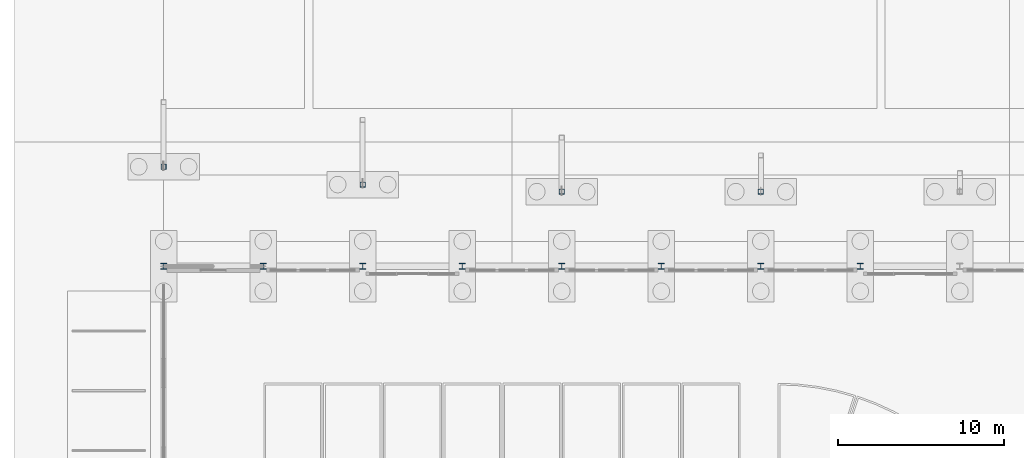
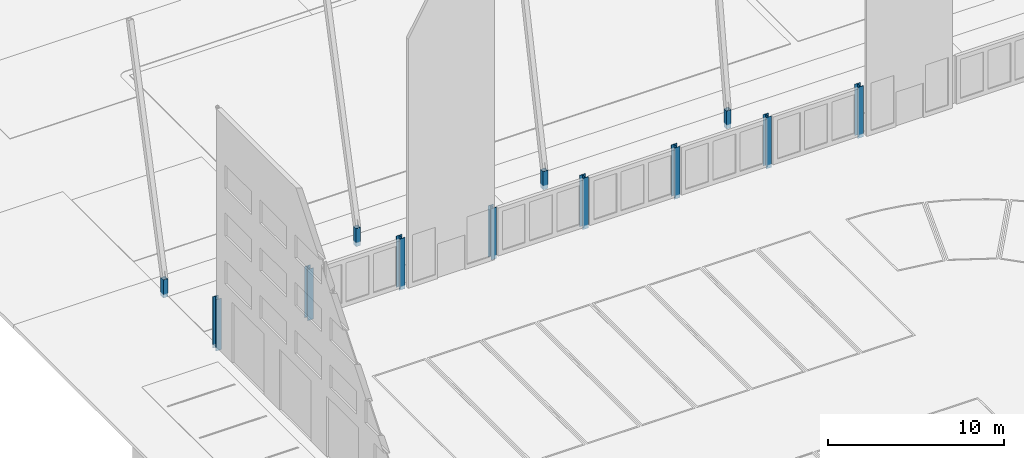
# One storey, part 11 of 130: 12 columns.
"""IFC4 building model written with IfcOpenShell, lengths in metres."""

from ifc_helpers import new_model, si_unit, direction, frame, origin, origin_2d, place, context, subcontext, project, spatial, hollow_rectangle, i_section, extrude, material, material_profile, profile_set, type_object, element, save


model = new_model("IFC4")

# Units and contexts
model_context = context("Model", 3, precision=1e-05, world=origin(), true_north=direction((0.0, 1.0)))
body_context = subcontext(model_context, "Body", "Model", "MODEL_VIEW")
ifc_project = project(units=[si_unit("LENGTHUNIT", "METRE"), si_unit("AREAUNIT", "SQUARE_METRE"), si_unit("VOLUMEUNIT", "CUBIC_METRE"), si_unit("PLANEANGLEUNIT", "RADIAN"), si_unit("MASSUNIT", "GRAM", prefix="KILO")], contexts=[model_context])

# Site, building, storey
site_placement = place(None, origin())
site = spatial("IfcSite", under=ifc_project, at=site_placement, CompositionType="ELEMENT")
building_placement = place(site_placement, origin())
building = spatial("IfcBuilding", under=site, at=building_placement, Name="Parallax Yard Mobility Hub", CompositionType="ELEMENT")
storey_placement = place(building_placement, origin())
storey = spatial("IfcBuildingStorey", under=building, at=storey_placement, Name="L00", CompositionType="ELEMENT", Elevation=0.0)

# Columns
ifc_material_1 = material(Name="Steel ASTM A500 Gr C", Category="steel")
ifc_material_profile_1 = material_profile(ifc_material_1, hollow_rectangle(XDim=0.3046875, YDim=0.3046875, WallThickness=0.0126953125, at=origin_2d()), Name="HSS305x305x12.7")
ifc_profile_set_1 = profile_set([ifc_material_profile_1], Name="Steel ASTM A500 Gr C")
column_type_1 = type_object("IfcColumnType", Name="Roof column HSS305x305x12.7", PredefinedType="COLUMN", material=ifc_profile_set_1)
for number, where, z_axis, x_axis, name in (
    (1, (9.0, 58.5, -0.25), (0.0, 0.0, 1.0), (1.0, 0.0, 0.0), "Prow strut stub F1"),
    (2, (21.0, 57.4287109375, -0.25), (0.0, 0.0, 1.0), (1.0, 0.0, 0.0), "Prow strut stub F3"),
    (3, (33.0, 57.0, -0.25), (0.0, 0.0, 1.0), (1.0, 0.0, 0.0), "Prow strut stub F5"),
    (4, (45.0, 57.0, -0.25), (0.0, 0.0, 1.0), (1.0, 0.0, 0.0), "Prow strut stub F7"),
):
    element("IfcColumn", number, at=place(storey_placement, frame(where, z_axis=z_axis, x_axis=x_axis)), inside=storey, type_object=column_type_1, Name=name, PredefinedType="COLUMN", context=body_context, shape_type="SweptSolid", body=[
        extrude(hollow_rectangle(XDim=0.3046875, YDim=0.3046875, WallThickness=0.0126953125, at=origin_2d()), origin(), (0.0, 0.0, 1.0), 1.25),
    ])
ifc_material_2 = material(Name="Steel ASTM A992", Category="steel")
ifc_material_profile_2 = material_profile(ifc_material_2, i_section(OverallWidth=0.373046875, OverallDepth=0.367919921875, WebThickness=0.014892578125, FlangeThickness=0.02392578125, FilletRadius=0.01513671875, at=origin_2d()), Name="W360x179")
ifc_profile_set_2 = profile_set([ifc_material_profile_2], Name="Steel ASTM A992")
column_type_2 = type_object("IfcColumnType", Name="W360x179 column", PredefinedType="COLUMN", material=ifc_profile_set_2)
for number, where, z_axis, x_axis, name in (
    (5, (9.0, 52.5, -0.25), (0.0, 0.0, 1.0), (1.0, 0.0, 0.0), "Column C7 level L00 at F1/H of bus and taxi deck"),
    (6, (15.0, 52.5, -0.25), (0.0, 0.0, 1.0), (1.0, 0.0, 0.0), "Column C7 level L00 at F2/H of bus and taxi deck"),
    (7, (21.0, 52.5, -0.25), (0.0, 0.0, 1.0), (1.0, 0.0, 0.0), "Column C7 level L00 at F3/H of bus and taxi deck"),
    (8, (27.0, 52.5, -0.25), (0.0, 0.0, 1.0), (1.0, 0.0, 0.0), "Column C7 level L00 at F4/H of bus and taxi deck"),
    (9, (33.0, 52.5, -0.25), (0.0, 0.0, 1.0), (1.0, 0.0, 0.0), "Column C7 level L00 at F5/H of bus and taxi deck"),
    (10, (39.0, 52.5, -0.25), (0.0, 0.0, 1.0), (1.0, 0.0, 0.0), "Column C7 level L00 at F6/H of bus and taxi deck"),
    (11, (45.0, 52.5, -0.25), (0.0, 0.0, 1.0), (1.0, 0.0, 0.0), "Column C7 level L00 at F7/H of bus and taxi deck"),
    (12, (51.0, 52.5, -0.25), (0.0, 0.0, 1.0), (1.0, 0.0, 0.0), "Column C7 level L00 at F8/H of bus and taxi deck"),
):
    element("IfcColumn", number, at=place(storey_placement, frame(where, z_axis=z_axis, x_axis=x_axis)), inside=storey, type_object=column_type_2, Name=name, PredefinedType="COLUMN", context=body_context, shape_type="SweptSolid", body=[
        extrude(i_section(OverallWidth=0.373046875, OverallDepth=0.367919921875, WebThickness=0.014892578125, FlangeThickness=0.02392578125, FilletRadius=0.01513671875, at=origin_2d()), origin(), (0.0, 0.0, 1.0), 3.550048828125),
    ])

save(model, "model.ifc")
